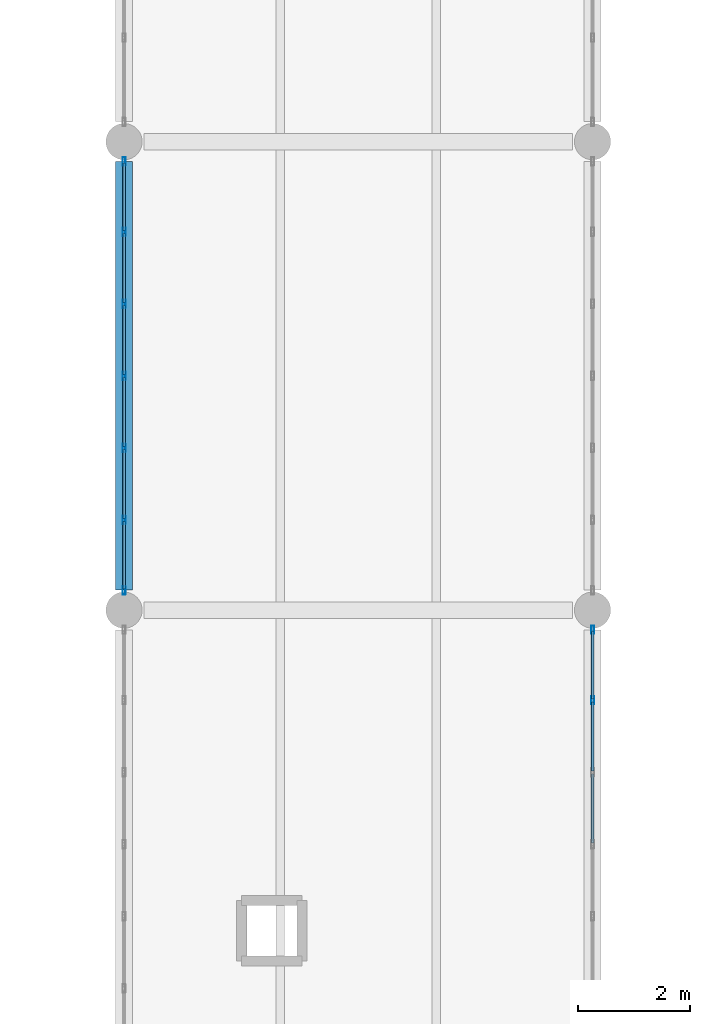
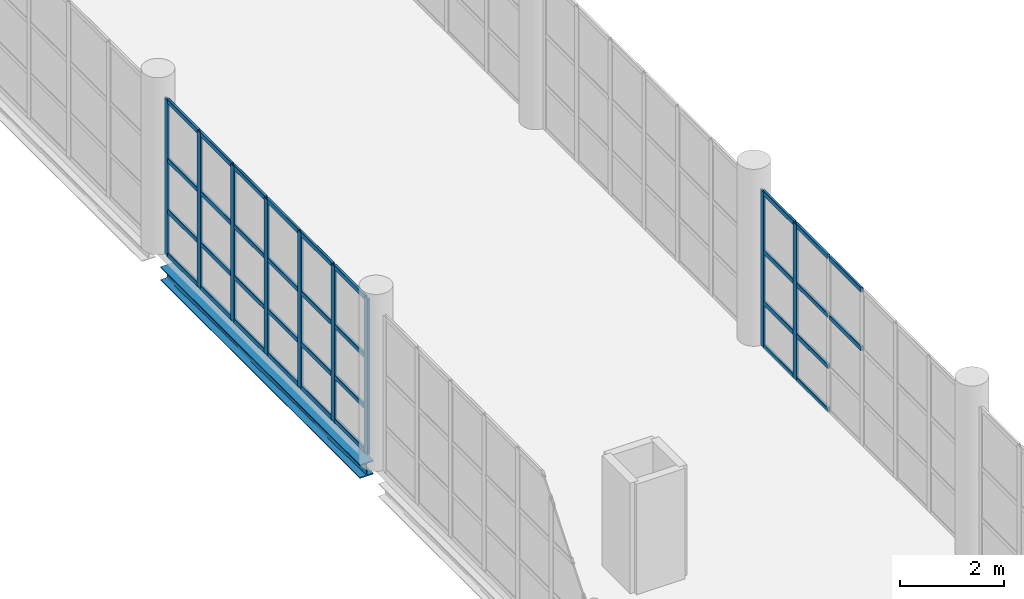
# One storey, part 37 of 177: 43 members, 1 beam, 2 elements without a shape of their own.
"""IFC4 building model written with IfcOpenShell, lengths in metres."""

from ifc_helpers import new_model, si_unit, direction, frame, origin, origin_2d, place, context, subcontext, project, spatial, hollow_rectangle, i_section, extrude, material, layer, layer_set, material_profile, profile_set, type_object, element, aggregate, save


model = new_model("IFC4")

# Units and contexts
model_context = context("Model", 3, precision=1e-05, world=origin(), true_north=direction((0.0, 1.0)))
body_context = subcontext(model_context, "Body", "Model", "MODEL_VIEW")
ifc_project = project(units=[si_unit("LENGTHUNIT", "METRE"), si_unit("AREAUNIT", "SQUARE_METRE"), si_unit("VOLUMEUNIT", "CUBIC_METRE"), si_unit("PLANEANGLEUNIT", "RADIAN"), si_unit("MASSUNIT", "GRAM", prefix="KILO"), si_unit("THERMODYNAMICTEMPERATUREUNIT", "KELVIN"), si_unit("POWERUNIT", "WATT")], contexts=[model_context])

# Site, building, storey
site_placement = place(None, origin())
site = spatial("IfcSite", under=ifc_project, at=site_placement, CompositionType="ELEMENT")
building_placement = place(site_placement, origin())
building = spatial("IfcBuilding", under=site, at=building_placement, Name="Mavoryth Pier Ferry Terminal", CompositionType="ELEMENT")
storey_placement = place(building_placement, frame((0.0, 0.0, 5.43994140625)))
storey = spatial("IfcBuildingStorey", under=building, at=storey_placement, Name="L01", CompositionType="ELEMENT", Elevation=5.43994140625)

# Curtain wall, members
ifc_material_1 = material(Name="Anodised Aluminium and Solar-Control Low-E Glass", Category="aluminium")
ifc_layer = layer(ifc_material_1, 0.1201171875, Name="Anodised Aluminium and Solar-Control Low-E Glass", Category="aluminium")
ifc_layer_set = layer_set([ifc_layer], Name="Anodised Aluminium and Solar-Control Low-E Glass - CW-BridgeLink-Mod1400")
curtain_wall_type = type_object("IfcCurtainWallType", Name="CW-BridgeLink-Mod1400", PredefinedType="USERDEFINED", material=ifc_layer_set)
curtain_wall_1_placement = place(storey_placement, origin())
curtain_wall_1 = element("IfcCurtainWall", 1, at=curtain_wall_1_placement, inside=storey, type_object=curtain_wall_type, Name="Curtain Wall CW-0111-105", ObjectType="UNITISED CURTAIN WALL", PredefinedType="USERDEFINED")
ifc_material_2 = material(Name="Anodised Aluminium EN AW-6063", Category="aluminium")
ifc_material_profile_1 = material_profile(ifc_material_2, hollow_rectangle(XDim=0.054931640625, YDim=0.14990234375, WallThickness=0.00390625, InnerFilletRadius=0.00390625, OuterFilletRadius=0.008056640625, at=origin_2d()), Name="AL-MULL 150x55x4", Category="aluminium")
ifc_profile_set_1 = profile_set([ifc_material_profile_1], Name="Anodised Aluminium EN AW-6063 - AL-MULL 150x55x4")
member_type_1 = type_object("IfcMemberType", Name="Mullion-Alum-150x55", PredefinedType="MULLION", material=ifc_profile_set_1)
member_1_placement = place(storey_placement, frame((58.800048828125, 53.9833984375, 0.0), z_axis=(0.0, 0.0, 1.0), x_axis=(-1.0, 0.0, 0.0)))
member_1 = element("IfcMember", 2, at=member_1_placement, type_object=member_type_1, Name="CW08 mullion 6", PredefinedType="MULLION", context=body_context, shape_type="SweptSolid", body=[
    extrude(hollow_rectangle(XDim=0.054931640625, YDim=0.14990234375, WallThickness=0.00390625, InnerFilletRadius=0.00390625, OuterFilletRadius=0.008056640625, at=origin_2d()), origin(), (0.0, 0.0, 1.0), 3.655029296875),
])
member_2_placement = place(storey_placement, frame((58.800048828125, 55.24755859375, 0.0), z_axis=(0.0, 0.0, 1.0), x_axis=(-1.0, 0.0, 0.0)))
member_2 = element("IfcMember", 3, at=member_2_placement, type_object=member_type_1, Name="CW08 mullion 7", PredefinedType="MULLION", context=body_context, shape_type="SweptSolid", body=[
    extrude(hollow_rectangle(XDim=0.054931640625, YDim=0.14990234375, WallThickness=0.00390625, InnerFilletRadius=0.00390625, OuterFilletRadius=0.008056640625, at=origin_2d()), origin(), (0.0, 0.0, 1.0), 3.655029296875),
])

curtain_wall_2_placement = place(storey_placement, origin())
curtain_wall_2 = element("IfcCurtainWall", 4, at=curtain_wall_2_placement, inside=storey, type_object=curtain_wall_type, Name="Curtain Wall CW-0111-106", ObjectType="UNITISED CURTAIN WALL", PredefinedType="USERDEFINED")
member_3_placement = place(storey_placement, frame((50.39990234375, 63.6474609375, 0.0), z_axis=(0.0, 0.0, 1.0), x_axis=(1.0, 0.0, 0.0)))
member_3 = element("IfcMember", 5, at=member_3_placement, type_object=member_type_1, Name="CW08 mullion 1", PredefinedType="MULLION", context=body_context, shape_type="SweptSolid", body=[
    extrude(hollow_rectangle(XDim=0.054931640625, YDim=0.14990234375, WallThickness=0.00390625, InnerFilletRadius=0.00390625, OuterFilletRadius=0.008056640625, at=origin_2d()), origin(), (0.0, 0.0, 1.0), 3.655029296875),
])
member_4_placement = place(storey_placement, frame((50.39990234375, 62.38330078125, 0.0), z_axis=(0.0, 0.0, 1.0), x_axis=(1.0, 0.0, 0.0)))
member_4 = element("IfcMember", 6, at=member_4_placement, type_object=member_type_1, Name="CW08 mullion 2", PredefinedType="MULLION", context=body_context, shape_type="SweptSolid", body=[
    extrude(hollow_rectangle(XDim=0.054931640625, YDim=0.14990234375, WallThickness=0.00390625, InnerFilletRadius=0.00390625, OuterFilletRadius=0.008056640625, at=origin_2d()), origin(), (0.0, 0.0, 1.0), 3.655029296875),
])
member_5_placement = place(storey_placement, frame((50.39990234375, 61.091552734375, 0.0), z_axis=(0.0, 0.0, 1.0), x_axis=(1.0, 0.0, 0.0)))
member_5 = element("IfcMember", 7, at=member_5_placement, type_object=member_type_1, Name="CW08 mullion 3", PredefinedType="MULLION", context=body_context, shape_type="SweptSolid", body=[
    extrude(hollow_rectangle(XDim=0.054931640625, YDim=0.14990234375, WallThickness=0.00390625, InnerFilletRadius=0.00390625, OuterFilletRadius=0.008056640625, at=origin_2d()), origin(), (0.0, 0.0, 1.0), 3.655029296875),
])
member_6_placement = place(storey_placement, frame((50.39990234375, 59.800048828125, 0.0), z_axis=(0.0, 0.0, 1.0), x_axis=(1.0, 0.0, 0.0)))
member_6 = element("IfcMember", 8, at=member_6_placement, type_object=member_type_1, Name="CW08 mullion 4", PredefinedType="MULLION", context=body_context, shape_type="SweptSolid", body=[
    extrude(hollow_rectangle(XDim=0.054931640625, YDim=0.14990234375, WallThickness=0.00390625, InnerFilletRadius=0.00390625, OuterFilletRadius=0.008056640625, at=origin_2d()), origin(), (0.0, 0.0, 1.0), 3.655029296875),
])
member_7_placement = place(storey_placement, frame((50.39990234375, 58.50830078125, 0.0), z_axis=(0.0, 0.0, 1.0), x_axis=(1.0, 0.0, 0.0)))
member_7 = element("IfcMember", 9, at=member_7_placement, type_object=member_type_1, Name="CW08 mullion 5", PredefinedType="MULLION", context=body_context, shape_type="SweptSolid", body=[
    extrude(hollow_rectangle(XDim=0.054931640625, YDim=0.14990234375, WallThickness=0.00390625, InnerFilletRadius=0.00390625, OuterFilletRadius=0.008056640625, at=origin_2d()), origin(), (0.0, 0.0, 1.0), 3.655029296875),
])
member_8_placement = place(storey_placement, frame((50.39990234375, 57.216552734375, 0.0), z_axis=(0.0, 0.0, 1.0), x_axis=(1.0, 0.0, 0.0)))
member_8 = element("IfcMember", 10, at=member_8_placement, type_object=member_type_1, Name="CW08 mullion 6", PredefinedType="MULLION", context=body_context, shape_type="SweptSolid", body=[
    extrude(hollow_rectangle(XDim=0.054931640625, YDim=0.14990234375, WallThickness=0.00390625, InnerFilletRadius=0.00390625, OuterFilletRadius=0.008056640625, at=origin_2d()), origin(), (0.0, 0.0, 1.0), 3.655029296875),
])
member_9_placement = place(storey_placement, frame((50.39990234375, 55.952392578125, 0.0), z_axis=(0.0, 0.0, 1.0), x_axis=(1.0, 0.0, 0.0)))
member_9 = element("IfcMember", 11, at=member_9_placement, type_object=member_type_1, Name="CW08 mullion 7", PredefinedType="MULLION", context=body_context, shape_type="SweptSolid", body=[
    extrude(hollow_rectangle(XDim=0.054931640625, YDim=0.14990234375, WallThickness=0.00390625, InnerFilletRadius=0.00390625, OuterFilletRadius=0.008056640625, at=origin_2d()), origin(), (0.0, 0.0, 1.0), 3.655029296875),
])

# Beam
ifc_material_3 = material(Name="Steel S355J2", Category="steel")
ifc_material_profile_2 = material_profile(ifc_material_3, i_section(OverallWidth=0.300048828125, OverallDepth=0.320068359375, WebThickness=0.011474609375, FlangeThickness=0.0205078125, FilletRadius=0.027099609375, at=origin_2d()), Name="HEB 320", Category="steel")
ifc_profile_set_2 = profile_set([ifc_material_profile_2], Name="Steel S355J2 - HEB 320")
beam_type = type_object("IfcBeamType", Name="Spandrel-Steel-HEB320", PredefinedType="SPANDREL", material=ifc_profile_set_2)
beam_placement = place(storey_placement, frame((50.39990234375, 55.9599609375, -0.39990234375), z_axis=(0.0, 1.0, 0.0), x_axis=(-1.0, 0.0, 0.0)))
element("IfcBeam", 12, at=beam_placement, inside=storey, type_object=beam_type, Name="Beam B01-SP04-0166", PredefinedType="SPANDREL", context=body_context, shape_type="SweptSolid", body=[
    extrude(i_section(OverallWidth=0.300048828125, OverallDepth=0.320068359375, WebThickness=0.011474609375, FlangeThickness=0.0205078125, FilletRadius=0.027099609375, at=origin_2d()), origin(), (0.0, 0.0, 1.0), 7.679931640625),
])

# Member
ifc_material_profile_3 = material_profile(ifc_material_2, hollow_rectangle(XDim=0.054931640625, YDim=0.110107421875, WallThickness=0.00390625, InnerFilletRadius=0.00390625, OuterFilletRadius=0.008056640625, at=origin_2d()), Name="AL-TRAN 110x55x4", Category="aluminium")
ifc_profile_set_3 = profile_set([ifc_material_profile_3], Name="Anodised Aluminium EN AW-6063 - AL-TRAN 110x55x4")
member_type_2 = type_object("IfcMemberType", Name="Transom-Alum-110x55", PredefinedType="USERDEFINED", material=ifc_profile_set_3)
member_10_placement = place(storey_placement, frame((58.800048828125, 51.427490234375, 2.25), z_axis=(0.0, 1.0, 0.0), x_axis=(-1.0, 0.0, 0.0)))
member_10 = element("IfcMember", 13, at=member_10_placement, type_object=member_type_2, Name="CW08 transom 4.3", ObjectType="TRANSOM", PredefinedType="USERDEFINED", context=body_context, shape_type="SweptSolid", body=[
    extrude(hollow_rectangle(XDim=0.054931640625, YDim=0.110107421875, WallThickness=0.00390625, InnerFilletRadius=0.00390625, OuterFilletRadius=0.008056640625, at=origin_2d()), origin(), (0.0, 0.0, 1.0), 1.236572265625),
])

member_11_placement = place(storey_placement, frame((58.800048828125, 51.427490234375, 3.62744140625), z_axis=(0.0, 1.0, 0.0), x_axis=(-1.0, 0.0, 0.0)))
member_11 = element("IfcMember", 14, at=member_11_placement, type_object=member_type_2, Name="CW08 transom 4.4", ObjectType="TRANSOM", PredefinedType="USERDEFINED", context=body_context, shape_type="SweptSolid", body=[
    extrude(hollow_rectangle(XDim=0.054931640625, YDim=0.110107421875, WallThickness=0.00390625, InnerFilletRadius=0.00390625, OuterFilletRadius=0.008056640625, at=origin_2d()), origin(), (0.0, 0.0, 1.0), 1.236572265625),
])

member_12_placement = place(storey_placement, frame((58.800048828125, 52.71923828125, 0.027587890625), z_axis=(0.0, 1.0, 0.0), x_axis=(-1.0, 0.0, 0.0)))
member_12 = element("IfcMember", 15, at=member_12_placement, type_object=member_type_2, Name="CW08 transom 5.1", ObjectType="TRANSOM", PredefinedType="USERDEFINED", context=body_context, shape_type="SweptSolid", body=[
    extrude(hollow_rectangle(XDim=0.054931640625, YDim=0.110107421875, WallThickness=0.00390625, InnerFilletRadius=0.00390625, OuterFilletRadius=0.008056640625, at=origin_2d()), origin(), (0.0, 0.0, 1.0), 1.236572265625),
])

member_13_placement = place(storey_placement, frame((58.800048828125, 52.71923828125, 1.050048828125), z_axis=(0.0, 1.0, 0.0), x_axis=(-1.0, 0.0, 0.0)))
member_13 = element("IfcMember", 16, at=member_13_placement, type_object=member_type_2, Name="CW08 transom 5.2", ObjectType="TRANSOM", PredefinedType="USERDEFINED", context=body_context, shape_type="SweptSolid", body=[
    extrude(hollow_rectangle(XDim=0.054931640625, YDim=0.110107421875, WallThickness=0.00390625, InnerFilletRadius=0.00390625, OuterFilletRadius=0.008056640625, at=origin_2d()), origin(), (0.0, 0.0, 1.0), 1.236572265625),
])

member_14_placement = place(storey_placement, frame((58.800048828125, 52.71923828125, 2.25), z_axis=(0.0, 1.0, 0.0), x_axis=(-1.0, 0.0, 0.0)))
member_14 = element("IfcMember", 17, at=member_14_placement, type_object=member_type_2, Name="CW08 transom 5.3", ObjectType="TRANSOM", PredefinedType="USERDEFINED", context=body_context, shape_type="SweptSolid", body=[
    extrude(hollow_rectangle(XDim=0.054931640625, YDim=0.110107421875, WallThickness=0.00390625, InnerFilletRadius=0.00390625, OuterFilletRadius=0.008056640625, at=origin_2d()), origin(), (0.0, 0.0, 1.0), 1.236572265625),
])

member_15_placement = place(storey_placement, frame((58.800048828125, 52.71923828125, 3.62744140625), z_axis=(0.0, 1.0, 0.0), x_axis=(-1.0, 0.0, 0.0)))
member_15 = element("IfcMember", 18, at=member_15_placement, type_object=member_type_2, Name="CW08 transom 5.4", ObjectType="TRANSOM", PredefinedType="USERDEFINED", context=body_context, shape_type="SweptSolid", body=[
    extrude(hollow_rectangle(XDim=0.054931640625, YDim=0.110107421875, WallThickness=0.00390625, InnerFilletRadius=0.00390625, OuterFilletRadius=0.008056640625, at=origin_2d()), origin(), (0.0, 0.0, 1.0), 1.236572265625),
])

member_16_placement = place(storey_placement, frame((58.800048828125, 54.0107421875, 0.027587890625), z_axis=(0.0, 1.0, 0.0), x_axis=(-1.0, 0.0, 0.0)))
member_16 = element("IfcMember", 19, at=member_16_placement, type_object=member_type_2, Name="CW08 transom 6.1", ObjectType="TRANSOM", PredefinedType="USERDEFINED", context=body_context, shape_type="SweptSolid", body=[
    extrude(hollow_rectangle(XDim=0.054931640625, YDim=0.110107421875, WallThickness=0.00390625, InnerFilletRadius=0.00390625, OuterFilletRadius=0.008056640625, at=origin_2d()), origin(), (0.0, 0.0, 1.0), 1.209228515625),
])

member_17_placement = place(storey_placement, frame((58.800048828125, 54.0107421875, 1.050048828125), z_axis=(0.0, 1.0, 0.0), x_axis=(-1.0, 0.0, 0.0)))
member_17 = element("IfcMember", 20, at=member_17_placement, type_object=member_type_2, Name="CW08 transom 6.2", ObjectType="TRANSOM", PredefinedType="USERDEFINED", context=body_context, shape_type="SweptSolid", body=[
    extrude(hollow_rectangle(XDim=0.054931640625, YDim=0.110107421875, WallThickness=0.00390625, InnerFilletRadius=0.00390625, OuterFilletRadius=0.008056640625, at=origin_2d()), origin(), (0.0, 0.0, 1.0), 1.209228515625),
])

member_18_placement = place(storey_placement, frame((58.800048828125, 54.0107421875, 2.25), z_axis=(0.0, 1.0, 0.0), x_axis=(-1.0, 0.0, 0.0)))
member_18 = element("IfcMember", 21, at=member_18_placement, type_object=member_type_2, Name="CW08 transom 6.3", ObjectType="TRANSOM", PredefinedType="USERDEFINED", context=body_context, shape_type="SweptSolid", body=[
    extrude(hollow_rectangle(XDim=0.054931640625, YDim=0.110107421875, WallThickness=0.00390625, InnerFilletRadius=0.00390625, OuterFilletRadius=0.008056640625, at=origin_2d()), origin(), (0.0, 0.0, 1.0), 1.209228515625),
])

member_19_placement = place(storey_placement, frame((58.800048828125, 54.0107421875, 3.62744140625), z_axis=(0.0, 1.0, 0.0), x_axis=(-1.0, 0.0, 0.0)))
member_19 = element("IfcMember", 22, at=member_19_placement, type_object=member_type_2, Name="CW08 transom 6.4", ObjectType="TRANSOM", PredefinedType="USERDEFINED", context=body_context, shape_type="SweptSolid", body=[
    extrude(hollow_rectangle(XDim=0.054931640625, YDim=0.110107421875, WallThickness=0.00390625, InnerFilletRadius=0.00390625, OuterFilletRadius=0.008056640625, at=origin_2d()), origin(), (0.0, 0.0, 1.0), 1.209228515625),
])

aggregate(curtain_wall_1, [member_1, member_2, member_10, member_11, member_12, member_13, member_14, member_15, member_16, member_17, member_18, member_19])

member_20_placement = place(storey_placement, frame((50.39990234375, 63.6201171875, 0.027587890625), z_axis=(0.0, -1.0, 0.0), x_axis=(1.0, 0.0, 0.0)))
member_20 = element("IfcMember", 23, at=member_20_placement, type_object=member_type_2, Name="CW08 transom 1.1", ObjectType="TRANSOM", PredefinedType="USERDEFINED", context=body_context, shape_type="SweptSolid", body=[
    extrude(hollow_rectangle(XDim=0.054931640625, YDim=0.110107421875, WallThickness=0.00390625, InnerFilletRadius=0.00390625, OuterFilletRadius=0.008056640625, at=origin_2d()), origin(), (0.0, 0.0, 1.0), 1.209228515625),
])

member_21_placement = place(storey_placement, frame((50.39990234375, 63.6201171875, 1.050048828125), z_axis=(0.0, -1.0, 0.0), x_axis=(1.0, 0.0, 0.0)))
member_21 = element("IfcMember", 24, at=member_21_placement, type_object=member_type_2, Name="CW08 transom 1.2", ObjectType="TRANSOM", PredefinedType="USERDEFINED", context=body_context, shape_type="SweptSolid", body=[
    extrude(hollow_rectangle(XDim=0.054931640625, YDim=0.110107421875, WallThickness=0.00390625, InnerFilletRadius=0.00390625, OuterFilletRadius=0.008056640625, at=origin_2d()), origin(), (0.0, 0.0, 1.0), 1.209228515625),
])

member_22_placement = place(storey_placement, frame((50.39990234375, 63.6201171875, 2.25), z_axis=(0.0, -1.0, 0.0), x_axis=(1.0, 0.0, 0.0)))
member_22 = element("IfcMember", 25, at=member_22_placement, type_object=member_type_2, Name="CW08 transom 1.3", ObjectType="TRANSOM", PredefinedType="USERDEFINED", context=body_context, shape_type="SweptSolid", body=[
    extrude(hollow_rectangle(XDim=0.054931640625, YDim=0.110107421875, WallThickness=0.00390625, InnerFilletRadius=0.00390625, OuterFilletRadius=0.008056640625, at=origin_2d()), origin(), (0.0, 0.0, 1.0), 1.209228515625),
])

member_23_placement = place(storey_placement, frame((50.39990234375, 63.6201171875, 3.62744140625), z_axis=(0.0, -1.0, 0.0), x_axis=(1.0, 0.0, 0.0)))
member_23 = element("IfcMember", 26, at=member_23_placement, type_object=member_type_2, Name="CW08 transom 1.4", ObjectType="TRANSOM", PredefinedType="USERDEFINED", context=body_context, shape_type="SweptSolid", body=[
    extrude(hollow_rectangle(XDim=0.054931640625, YDim=0.110107421875, WallThickness=0.00390625, InnerFilletRadius=0.00390625, OuterFilletRadius=0.008056640625, at=origin_2d()), origin(), (0.0, 0.0, 1.0), 1.209228515625),
])

member_24_placement = place(storey_placement, frame((50.39990234375, 62.355712890625, 0.027587890625), z_axis=(0.0, -1.0, 0.0), x_axis=(1.0, 0.0, 0.0)))
member_24 = element("IfcMember", 27, at=member_24_placement, type_object=member_type_2, Name="CW08 transom 2.1", ObjectType="TRANSOM", PredefinedType="USERDEFINED", context=body_context, shape_type="SweptSolid", body=[
    extrude(hollow_rectangle(XDim=0.054931640625, YDim=0.110107421875, WallThickness=0.00390625, InnerFilletRadius=0.00390625, OuterFilletRadius=0.008056640625, at=origin_2d()), origin(), (0.0, 0.0, 1.0), 1.236572265625),
])

member_25_placement = place(storey_placement, frame((50.39990234375, 62.355712890625, 1.050048828125), z_axis=(0.0, -1.0, 0.0), x_axis=(1.0, 0.0, 0.0)))
member_25 = element("IfcMember", 28, at=member_25_placement, type_object=member_type_2, Name="CW08 transom 2.2", ObjectType="TRANSOM", PredefinedType="USERDEFINED", context=body_context, shape_type="SweptSolid", body=[
    extrude(hollow_rectangle(XDim=0.054931640625, YDim=0.110107421875, WallThickness=0.00390625, InnerFilletRadius=0.00390625, OuterFilletRadius=0.008056640625, at=origin_2d()), origin(), (0.0, 0.0, 1.0), 1.236572265625),
])

member_26_placement = place(storey_placement, frame((50.39990234375, 62.355712890625, 2.25), z_axis=(0.0, -1.0, 0.0), x_axis=(1.0, 0.0, 0.0)))
member_26 = element("IfcMember", 29, at=member_26_placement, type_object=member_type_2, Name="CW08 transom 2.3", ObjectType="TRANSOM", PredefinedType="USERDEFINED", context=body_context, shape_type="SweptSolid", body=[
    extrude(hollow_rectangle(XDim=0.054931640625, YDim=0.110107421875, WallThickness=0.00390625, InnerFilletRadius=0.00390625, OuterFilletRadius=0.008056640625, at=origin_2d()), origin(), (0.0, 0.0, 1.0), 1.236572265625),
])

member_27_placement = place(storey_placement, frame((50.39990234375, 62.355712890625, 3.62744140625), z_axis=(0.0, -1.0, 0.0), x_axis=(1.0, 0.0, 0.0)))
member_27 = element("IfcMember", 30, at=member_27_placement, type_object=member_type_2, Name="CW08 transom 2.4", ObjectType="TRANSOM", PredefinedType="USERDEFINED", context=body_context, shape_type="SweptSolid", body=[
    extrude(hollow_rectangle(XDim=0.054931640625, YDim=0.110107421875, WallThickness=0.00390625, InnerFilletRadius=0.00390625, OuterFilletRadius=0.008056640625, at=origin_2d()), origin(), (0.0, 0.0, 1.0), 1.236572265625),
])

member_28_placement = place(storey_placement, frame((50.39990234375, 61.064208984375, 0.027587890625), z_axis=(0.0, -1.0, 0.0), x_axis=(1.0, 0.0, 0.0)))
member_28 = element("IfcMember", 31, at=member_28_placement, type_object=member_type_2, Name="CW08 transom 3.1", ObjectType="TRANSOM", PredefinedType="USERDEFINED", context=body_context, shape_type="SweptSolid", body=[
    extrude(hollow_rectangle(XDim=0.054931640625, YDim=0.110107421875, WallThickness=0.00390625, InnerFilletRadius=0.00390625, OuterFilletRadius=0.008056640625, at=origin_2d()), origin(), (0.0, 0.0, 1.0), 1.23681640625),
])

member_29_placement = place(storey_placement, frame((50.39990234375, 61.064208984375, 1.050048828125), z_axis=(0.0, -1.0, 0.0), x_axis=(1.0, 0.0, 0.0)))
member_29 = element("IfcMember", 32, at=member_29_placement, type_object=member_type_2, Name="CW08 transom 3.2", ObjectType="TRANSOM", PredefinedType="USERDEFINED", context=body_context, shape_type="SweptSolid", body=[
    extrude(hollow_rectangle(XDim=0.054931640625, YDim=0.110107421875, WallThickness=0.00390625, InnerFilletRadius=0.00390625, OuterFilletRadius=0.008056640625, at=origin_2d()), origin(), (0.0, 0.0, 1.0), 1.23681640625),
])

member_30_placement = place(storey_placement, frame((50.39990234375, 61.064208984375, 2.25), z_axis=(0.0, -1.0, 0.0), x_axis=(1.0, 0.0, 0.0)))
member_30 = element("IfcMember", 33, at=member_30_placement, type_object=member_type_2, Name="CW08 transom 3.3", ObjectType="TRANSOM", PredefinedType="USERDEFINED", context=body_context, shape_type="SweptSolid", body=[
    extrude(hollow_rectangle(XDim=0.054931640625, YDim=0.110107421875, WallThickness=0.00390625, InnerFilletRadius=0.00390625, OuterFilletRadius=0.008056640625, at=origin_2d()), origin(), (0.0, 0.0, 1.0), 1.23681640625),
])

member_31_placement = place(storey_placement, frame((50.39990234375, 61.064208984375, 3.62744140625), z_axis=(0.0, -1.0, 0.0), x_axis=(1.0, 0.0, 0.0)))
member_31 = element("IfcMember", 34, at=member_31_placement, type_object=member_type_2, Name="CW08 transom 3.4", ObjectType="TRANSOM", PredefinedType="USERDEFINED", context=body_context, shape_type="SweptSolid", body=[
    extrude(hollow_rectangle(XDim=0.054931640625, YDim=0.110107421875, WallThickness=0.00390625, InnerFilletRadius=0.00390625, OuterFilletRadius=0.008056640625, at=origin_2d()), origin(), (0.0, 0.0, 1.0), 1.23681640625),
])

member_32_placement = place(storey_placement, frame((50.39990234375, 59.7724609375, 0.027587890625), z_axis=(0.0, -1.0, 0.0), x_axis=(1.0, 0.0, 0.0)))
member_32 = element("IfcMember", 35, at=member_32_placement, type_object=member_type_2, Name="CW08 transom 4.1", ObjectType="TRANSOM", PredefinedType="USERDEFINED", context=body_context, shape_type="SweptSolid", body=[
    extrude(hollow_rectangle(XDim=0.054931640625, YDim=0.110107421875, WallThickness=0.00390625, InnerFilletRadius=0.00390625, OuterFilletRadius=0.008056640625, at=origin_2d()), origin(), (0.0, 0.0, 1.0), 1.236572265625),
])

member_33_placement = place(storey_placement, frame((50.39990234375, 59.7724609375, 1.050048828125), z_axis=(0.0, -1.0, 0.0), x_axis=(1.0, 0.0, 0.0)))
member_33 = element("IfcMember", 36, at=member_33_placement, type_object=member_type_2, Name="CW08 transom 4.2", ObjectType="TRANSOM", PredefinedType="USERDEFINED", context=body_context, shape_type="SweptSolid", body=[
    extrude(hollow_rectangle(XDim=0.054931640625, YDim=0.110107421875, WallThickness=0.00390625, InnerFilletRadius=0.00390625, OuterFilletRadius=0.008056640625, at=origin_2d()), origin(), (0.0, 0.0, 1.0), 1.236572265625),
])

member_34_placement = place(storey_placement, frame((50.39990234375, 59.7724609375, 2.25), z_axis=(0.0, -1.0, 0.0), x_axis=(1.0, 0.0, 0.0)))
member_34 = element("IfcMember", 37, at=member_34_placement, type_object=member_type_2, Name="CW08 transom 4.3", ObjectType="TRANSOM", PredefinedType="USERDEFINED", context=body_context, shape_type="SweptSolid", body=[
    extrude(hollow_rectangle(XDim=0.054931640625, YDim=0.110107421875, WallThickness=0.00390625, InnerFilletRadius=0.00390625, OuterFilletRadius=0.008056640625, at=origin_2d()), origin(), (0.0, 0.0, 1.0), 1.236572265625),
])

member_35_placement = place(storey_placement, frame((50.39990234375, 59.7724609375, 3.62744140625), z_axis=(0.0, -1.0, 0.0), x_axis=(1.0, 0.0, 0.0)))
member_35 = element("IfcMember", 38, at=member_35_placement, type_object=member_type_2, Name="CW08 transom 4.4", ObjectType="TRANSOM", PredefinedType="USERDEFINED", context=body_context, shape_type="SweptSolid", body=[
    extrude(hollow_rectangle(XDim=0.054931640625, YDim=0.110107421875, WallThickness=0.00390625, InnerFilletRadius=0.00390625, OuterFilletRadius=0.008056640625, at=origin_2d()), origin(), (0.0, 0.0, 1.0), 1.236572265625),
])

member_36_placement = place(storey_placement, frame((50.39990234375, 58.480712890625, 0.027587890625), z_axis=(0.0, -1.0, 0.0), x_axis=(1.0, 0.0, 0.0)))
member_36 = element("IfcMember", 39, at=member_36_placement, type_object=member_type_2, Name="CW08 transom 5.1", ObjectType="TRANSOM", PredefinedType="USERDEFINED", context=body_context, shape_type="SweptSolid", body=[
    extrude(hollow_rectangle(XDim=0.054931640625, YDim=0.110107421875, WallThickness=0.00390625, InnerFilletRadius=0.00390625, OuterFilletRadius=0.008056640625, at=origin_2d()), origin(), (0.0, 0.0, 1.0), 1.236572265625),
])

member_37_placement = place(storey_placement, frame((50.39990234375, 58.480712890625, 1.050048828125), z_axis=(0.0, -1.0, 0.0), x_axis=(1.0, 0.0, 0.0)))
member_37 = element("IfcMember", 40, at=member_37_placement, type_object=member_type_2, Name="CW08 transom 5.2", ObjectType="TRANSOM", PredefinedType="USERDEFINED", context=body_context, shape_type="SweptSolid", body=[
    extrude(hollow_rectangle(XDim=0.054931640625, YDim=0.110107421875, WallThickness=0.00390625, InnerFilletRadius=0.00390625, OuterFilletRadius=0.008056640625, at=origin_2d()), origin(), (0.0, 0.0, 1.0), 1.236572265625),
])

member_38_placement = place(storey_placement, frame((50.39990234375, 58.480712890625, 2.25), z_axis=(0.0, -1.0, 0.0), x_axis=(1.0, 0.0, 0.0)))
member_38 = element("IfcMember", 41, at=member_38_placement, type_object=member_type_2, Name="CW08 transom 5.3", ObjectType="TRANSOM", PredefinedType="USERDEFINED", context=body_context, shape_type="SweptSolid", body=[
    extrude(hollow_rectangle(XDim=0.054931640625, YDim=0.110107421875, WallThickness=0.00390625, InnerFilletRadius=0.00390625, OuterFilletRadius=0.008056640625, at=origin_2d()), origin(), (0.0, 0.0, 1.0), 1.236572265625),
])

member_39_placement = place(storey_placement, frame((50.39990234375, 58.480712890625, 3.62744140625), z_axis=(0.0, -1.0, 0.0), x_axis=(1.0, 0.0, 0.0)))
member_39 = element("IfcMember", 42, at=member_39_placement, type_object=member_type_2, Name="CW08 transom 5.4", ObjectType="TRANSOM", PredefinedType="USERDEFINED", context=body_context, shape_type="SweptSolid", body=[
    extrude(hollow_rectangle(XDim=0.054931640625, YDim=0.110107421875, WallThickness=0.00390625, InnerFilletRadius=0.00390625, OuterFilletRadius=0.008056640625, at=origin_2d()), origin(), (0.0, 0.0, 1.0), 1.236572265625),
])

member_40_placement = place(storey_placement, frame((50.39990234375, 57.189208984375, 0.027587890625), z_axis=(0.0, -1.0, 0.0), x_axis=(1.0, 0.0, 0.0)))
member_40 = element("IfcMember", 43, at=member_40_placement, type_object=member_type_2, Name="CW08 transom 6.1", ObjectType="TRANSOM", PredefinedType="USERDEFINED", context=body_context, shape_type="SweptSolid", body=[
    extrude(hollow_rectangle(XDim=0.054931640625, YDim=0.110107421875, WallThickness=0.00390625, InnerFilletRadius=0.00390625, OuterFilletRadius=0.008056640625, at=origin_2d()), origin(), (0.0, 0.0, 1.0), 1.209228515625),
])

member_41_placement = place(storey_placement, frame((50.39990234375, 57.189208984375, 1.050048828125), z_axis=(0.0, -1.0, 0.0), x_axis=(1.0, 0.0, 0.0)))
member_41 = element("IfcMember", 44, at=member_41_placement, type_object=member_type_2, Name="CW08 transom 6.2", ObjectType="TRANSOM", PredefinedType="USERDEFINED", context=body_context, shape_type="SweptSolid", body=[
    extrude(hollow_rectangle(XDim=0.054931640625, YDim=0.110107421875, WallThickness=0.00390625, InnerFilletRadius=0.00390625, OuterFilletRadius=0.008056640625, at=origin_2d()), origin(), (0.0, 0.0, 1.0), 1.209228515625),
])

member_42_placement = place(storey_placement, frame((50.39990234375, 57.189208984375, 2.25), z_axis=(0.0, -1.0, 0.0), x_axis=(1.0, 0.0, 0.0)))
member_42 = element("IfcMember", 45, at=member_42_placement, type_object=member_type_2, Name="CW08 transom 6.3", ObjectType="TRANSOM", PredefinedType="USERDEFINED", context=body_context, shape_type="SweptSolid", body=[
    extrude(hollow_rectangle(XDim=0.054931640625, YDim=0.110107421875, WallThickness=0.00390625, InnerFilletRadius=0.00390625, OuterFilletRadius=0.008056640625, at=origin_2d()), origin(), (0.0, 0.0, 1.0), 1.209228515625),
])

member_43_placement = place(storey_placement, frame((50.39990234375, 57.189208984375, 3.62744140625), z_axis=(0.0, -1.0, 0.0), x_axis=(1.0, 0.0, 0.0)))
member_43 = element("IfcMember", 46, at=member_43_placement, type_object=member_type_2, Name="CW08 transom 6.4", ObjectType="TRANSOM", PredefinedType="USERDEFINED", context=body_context, shape_type="SweptSolid", body=[
    extrude(hollow_rectangle(XDim=0.054931640625, YDim=0.110107421875, WallThickness=0.00390625, InnerFilletRadius=0.00390625, OuterFilletRadius=0.008056640625, at=origin_2d()), origin(), (0.0, 0.0, 1.0), 1.209228515625),
])

aggregate(curtain_wall_2, [member_3, member_4, member_5, member_6, member_7, member_8, member_9, member_20, member_21, member_22, member_23, member_24, member_25, member_26, member_27, member_28, member_29, member_30, member_31, member_32, member_33, member_34, member_35, member_36, member_37, member_38, member_39, member_40, member_41, member_42, member_43])

save(model, "model.ifc")
